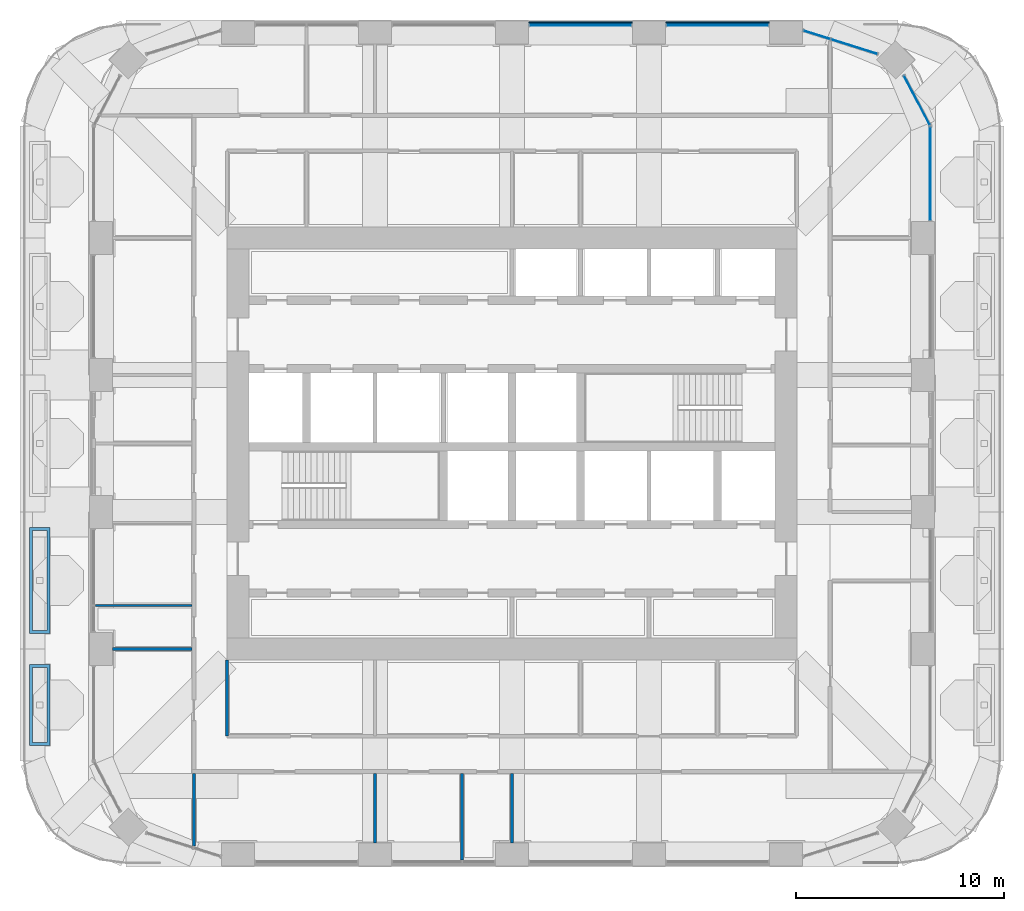
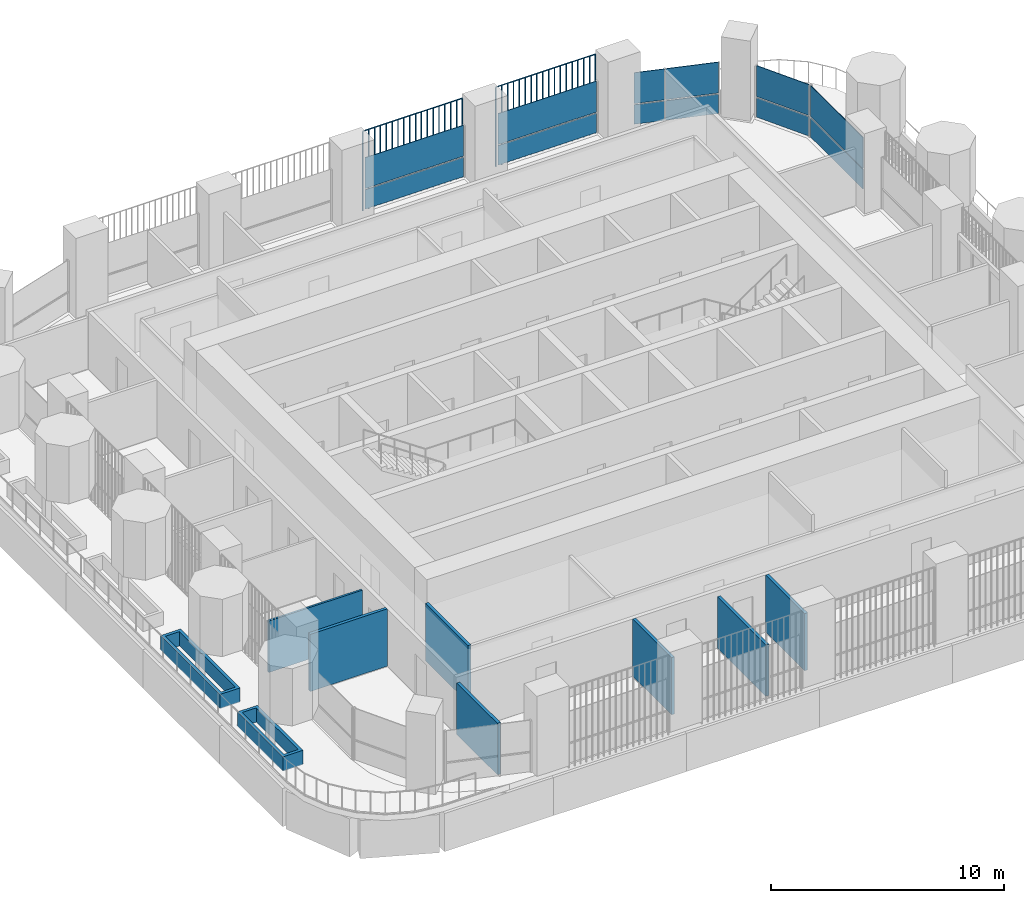
# One storey, part 13 of 24: 14 plates, 9 walls, 5 elements without a shape of their own.
"""IFC4 building model written with IfcOpenShell, lengths in metres."""

from ifc_helpers import new_model, si_unit, direction, frame, frame_2d, origin, origin_2d, place, context, subcontext, project, spatial, polyline, rectangle, outline, extrude, material, layer, layer_set, type_object, element, aggregate, save


model = new_model("IFC4")

# Units and contexts
model_context = context("Model", 3, precision=1e-05, world=origin(), true_north=direction((0.0, 1.0)))
body_context = subcontext(model_context, "Body", "Model", "MODEL_VIEW")
ifc_project = project(units=[si_unit("LENGTHUNIT", "METRE"), si_unit("AREAUNIT", "SQUARE_METRE"), si_unit("VOLUMEUNIT", "CUBIC_METRE"), si_unit("PLANEANGLEUNIT", "RADIAN"), si_unit("MASSUNIT", "GRAM", prefix="KILO")], contexts=[model_context])

# Site, building, storey
site_placement = place(None, origin())
site = spatial("IfcSite", under=ifc_project, at=site_placement, CompositionType="ELEMENT")
building_placement = place(site_placement, origin())
building = spatial("IfcBuilding", under=site, at=building_placement, Name="Cobogo Forest Laboratory Tower", CompositionType="ELEMENT")
storey_placement = place(building_placement, frame((0.0, 0.0, 229.199951171875)))
storey = spatial("IfcBuildingStorey", under=building, at=storey_placement, Name="L52", CompositionType="ELEMENT", Elevation=229.199951171875)

# Curtain wall, plates
ifc_material_1 = material(Name="Aluminium curtain wall", Category="aluminium")
curtain_wall_type = type_object("IfcCurtainWallType", Name="CW-2 unitised curtain wall, solar control glazing, laboratory floors zones C and D", PredefinedType="USERDEFINED", material=ifc_material_1)
curtain_wall_1_placement = place(storey_placement, origin())
curtain_wall_1 = element("IfcCurtainWall", 1, at=curtain_wall_1_placement, inside=storey, type_object=curtain_wall_type, Name="Curtain wall 11 L52", ObjectType="UNITISED CURTAIN WALL", PredefinedType="USERDEFINED")
ifc_material_2 = material(Name="Solar control insulated glass", Category="glass")
ifc_layer_1 = layer(ifc_material_2, 0.031982421875)
ifc_layer_set_1 = layer_set([ifc_layer_1], Name="GP-2 solar control glass unit 32")
plate_type_1 = type_object("IfcPlateType", Name="GP-2 solar control glass unit 32", PredefinedType="CURTAIN_PANEL", material=ifc_layer_set_1)
plate_1_placement = place(storey_placement, frame((46.550048828125, 36.10009765625, 0.0), z_axis=(0.0, 0.0, 1.0), x_axis=(0.0, 1.0, 0.0)))
plate_1 = element("IfcPlate", 2, at=plate_1_placement, type_object=plate_type_1, Name="CW-2 panel 1.1", PredefinedType="CURTAIN_PANEL", context=body_context, shape_type="SweptSolid", body=[
    extrude(rectangle(XDim=4.47998046875, YDim=0.031982421875, at=origin_2d()), origin(), (0.0, 0.0, 1.0), 1.02001953125),
])
plate_2_placement = place(storey_placement, frame((46.550048828125, 36.10009765625, 1.080078125), z_axis=(0.0, 0.0, 1.0), x_axis=(0.0, 1.0, 0.0)))
plate_2 = element("IfcPlate", 3, at=plate_2_placement, type_object=plate_type_1, Name="CW-2 panel 1.2", PredefinedType="CURTAIN_PANEL", context=body_context, shape_type="SweptSolid", body=[
    extrude(rectangle(XDim=4.47998046875, YDim=0.031982421875, at=origin_2d()), origin(), (0.0, 0.0, 1.0), 1.6201171875),
])
aggregate(curtain_wall_1, [plate_1, plate_2])

curtain_wall_2_placement = place(storey_placement, origin())
curtain_wall_2 = element("IfcCurtainWall", 4, at=curtain_wall_2_placement, inside=storey, type_object=curtain_wall_type, Name="Curtain wall 12 L52", ObjectType="UNITISED CURTAIN WALL", PredefinedType="USERDEFINED")
plate_3_placement = place(storey_placement, frame((45.90576171875, 39.629150390625, 0.0), z_axis=(0.0, 0.0, 1.0), x_axis=(-0.464283685186, 0.885686547075, 0.0)))
plate_3 = element("IfcPlate", 5, at=plate_3_placement, type_object=plate_type_1, Name="CW-2 panel 1.1", PredefinedType="CURTAIN_PANEL", context=body_context, shape_type="SweptSolid", body=[
    extrude(rectangle(XDim=2.655517578125, YDim=0.031982421875, at=origin_2d()), origin(), (0.0, 0.0, 1.0), 1.02001953125),
])
plate_4_placement = place(storey_placement, frame((45.90576171875, 39.629150390625, 1.080078125), z_axis=(0.0, 0.0, 1.0), x_axis=(-0.464283685186, 0.885686547075, 0.0)))
plate_4 = element("IfcPlate", 6, at=plate_4_placement, type_object=plate_type_1, Name="CW-2 panel 1.2", PredefinedType="CURTAIN_PANEL", context=body_context, shape_type="SweptSolid", body=[
    extrude(rectangle(XDim=2.655517578125, YDim=0.031982421875, at=origin_2d()), origin(), (0.0, 0.0, 1.0), 1.6201171875),
])
aggregate(curtain_wall_2, [plate_3, plate_4])

curtain_wall_3_placement = place(storey_placement, origin())
curtain_wall_3 = element("IfcCurtainWall", 7, at=curtain_wall_3_placement, inside=storey, type_object=curtain_wall_type, Name="Curtain wall 13 L52", ObjectType="UNITISED CURTAIN WALL", PredefinedType="USERDEFINED")
plate_5_placement = place(storey_placement, frame((42.882080078125, 42.213623046875, 0.0), z_axis=(0.0, 0.0, 1.0), x_axis=(-0.953581351952, 0.301135526315, 0.0)))
plate_5 = element("IfcPlate", 8, at=plate_5_placement, type_object=plate_type_1, Name="CW-2 panel 1.1", PredefinedType="CURTAIN_PANEL", context=body_context, shape_type="SweptSolid", body=[
    extrude(rectangle(XDim=2.316162109375, YDim=0.031982421875, at=origin_2d()), origin(), (0.0, 0.0, 1.0), 1.02001953125),
])
plate_6_placement = place(storey_placement, frame((42.882080078125, 42.213623046875, 1.080078125), z_axis=(0.0, 0.0, 1.0), x_axis=(-0.953581351952, 0.301135526315, 0.0)))
plate_6 = element("IfcPlate", 9, at=plate_6_placement, type_object=plate_type_1, Name="CW-2 panel 1.2", PredefinedType="CURTAIN_PANEL", context=body_context, shape_type="SweptSolid", body=[
    extrude(rectangle(XDim=2.316162109375, YDim=0.031982421875, at=origin_2d()), origin(), (0.0, 0.0, 1.0), 1.6201171875),
])
plate_7_placement = place(storey_placement, frame((41.0888671875, 42.77978515625, 0.0), z_axis=(0.0, 0.0, 1.0), x_axis=(-0.953581351952, 0.301135526315, 0.0)))
plate_7 = element("IfcPlate", 10, at=plate_7_placement, type_object=plate_type_1, Name="CW-2 panel 2.1", PredefinedType="CURTAIN_PANEL", context=body_context, shape_type="SweptSolid", body=[
    extrude(rectangle(XDim=1.32470703125, YDim=0.031982421875, at=origin_2d()), origin(), (0.0, 0.0, 1.0), 1.02001953125),
])
plate_8_placement = place(storey_placement, frame((41.0888671875, 42.77978515625, 1.080078125), z_axis=(0.0, 0.0, 1.0), x_axis=(-0.953581351952, 0.301135526315, 0.0)))
plate_8 = element("IfcPlate", 11, at=plate_8_placement, type_object=plate_type_1, Name="CW-2 panel 2.2", PredefinedType="CURTAIN_PANEL", context=body_context, shape_type="SweptSolid", body=[
    extrude(rectangle(XDim=1.32470703125, YDim=0.031982421875, at=origin_2d()), origin(), (0.0, 0.0, 1.0), 1.6201171875),
])
aggregate(curtain_wall_3, [plate_5, plate_6, plate_7, plate_8])

curtain_wall_4_placement = place(storey_placement, origin())
curtain_wall_4 = element("IfcCurtainWall", 12, at=curtain_wall_4_placement, inside=storey, type_object=curtain_wall_type, Name="Curtain wall 14 L52", ObjectType="UNITISED CURTAIN WALL", PredefinedType="USERDEFINED")
plate_9_placement = place(storey_placement, frame((36.300048828125, 43.25, 0.0), z_axis=(0.0, 0.0, 1.0), x_axis=(-1.0, 0.0, 0.0)))
plate_9 = element("IfcPlate", 13, at=plate_9_placement, type_object=plate_type_1, Name="CW-2 panel 1.1", PredefinedType="CURTAIN_PANEL", context=body_context, shape_type="SweptSolid", body=[
    extrude(rectangle(XDim=4.8798828125, YDim=0.031982421875, at=origin_2d()), origin(), (0.0, 0.0, 1.0), 1.02001953125),
])
plate_10_placement = place(storey_placement, frame((36.300048828125, 43.25, 1.080078125), z_axis=(0.0, 0.0, 1.0), x_axis=(-1.0, 0.0, 0.0)))
plate_10 = element("IfcPlate", 14, at=plate_10_placement, type_object=plate_type_1, Name="CW-2 panel 1.2", PredefinedType="CURTAIN_PANEL", context=body_context, shape_type="SweptSolid", body=[
    extrude(rectangle(XDim=4.8798828125, YDim=0.031982421875, at=origin_2d()), origin(), (0.0, 0.0, 1.0), 1.6201171875),
])
aggregate(curtain_wall_4, [plate_9, plate_10])

curtain_wall_5_placement = place(storey_placement, origin())
curtain_wall_5 = element("IfcCurtainWall", 15, at=curtain_wall_5_placement, inside=storey, type_object=curtain_wall_type, Name="Curtain wall 15 L52", ObjectType="UNITISED CURTAIN WALL", PredefinedType="USERDEFINED")
plate_11_placement = place(storey_placement, frame((29.699951171875, 43.25, 0.0), z_axis=(0.0, 0.0, 1.0), x_axis=(-1.0, 0.0, 0.0)))
plate_11 = element("IfcPlate", 16, at=plate_11_placement, type_object=plate_type_1, Name="CW-2 panel 1.1", PredefinedType="CURTAIN_PANEL", context=body_context, shape_type="SweptSolid", body=[
    extrude(rectangle(XDim=4.8798828125, YDim=0.031982421875, at=origin_2d()), origin(), (0.0, 0.0, 1.0), 1.02001953125),
])
plate_12_placement = place(storey_placement, frame((29.699951171875, 43.25, 1.080078125), z_axis=(0.0, 0.0, 1.0), x_axis=(-1.0, 0.0, 0.0)))
plate_12 = element("IfcPlate", 17, at=plate_12_placement, type_object=plate_type_1, Name="CW-2 panel 1.2", PredefinedType="CURTAIN_PANEL", context=body_context, shape_type="SweptSolid", body=[
    extrude(rectangle(XDim=4.8798828125, YDim=0.031982421875, at=origin_2d()), origin(), (0.0, 0.0, 1.0), 1.6201171875),
])
aggregate(curtain_wall_5, [plate_11, plate_12])

# Plates
ifc_material_3 = material(Name="Terracotta", Category="masonry")
plate_type_2 = type_object("IfcPlateType", Name="TB1 terracotta baguette screen", PredefinedType="USERDEFINED", material=ifc_material_3)
plate_13_placement = place(storey_placement, frame((27.231201171875, 43.3779296875, -0.14990234375)))
element("IfcPlate", 18, at=plate_13_placement, inside=storey, type_object=plate_type_2, Name="Baguette screen N3 L52", ObjectType="BAGUETTE SCREEN", PredefinedType="USERDEFINED", context=body_context, shape_type="SweptSolid", body=[
    extrude(outline(polyline([(0.02880859375, 0.011962890625), (0.011962890625, 0.02880859375), (-0.011962890625, 0.02880859375), (-0.02880859375, 0.011962890625), (-0.02880859375, -0.011962890625), (-0.011962890625, -0.02880859375), (0.011962890625, -0.02880859375), (0.02880859375, -0.011962890625), (0.02880859375, 0.011962890625)])), frame((0.0, 0.0, 4.168701171875), z_axis=(1.0, 0.0, 0.0), x_axis=(0.0, 1.0, 0.0)), (0.0, 0.0, 1.0), 4.9375),
    extrude(outline(polyline([(0.02880859375, 0.011962890625), (0.011962890625, 0.02880859375), (-0.011962890625, 0.02880859375), (-0.02880859375, 0.011962890625), (-0.02880859375, -0.011962890625), (-0.011962890625, -0.02880859375), (0.011962890625, -0.02880859375), (0.02880859375, -0.011962890625), (0.02880859375, 0.011962890625)])), origin(), (0.0, 0.0, 1.0), 4.137451171875),
    extrude(outline(polyline([(0.02880859375, 0.011962890625), (0.011962890625, 0.02880859375), (-0.011962890625, 0.02880859375), (-0.02880859375, 0.011962890625), (-0.02880859375, -0.011962890625), (-0.011962890625, -0.02880859375), (0.011962890625, -0.02880859375), (0.02880859375, -0.011962890625), (0.02880859375, 0.011962890625)])), frame((0.29052734375, 0.0, 0.0)), (0.0, 0.0, 1.0), 4.137451171875),
    extrude(outline(polyline([(0.02880859375, 0.011962890625), (0.011962890625, 0.02880859375), (-0.011962890625, 0.02880859375), (-0.02880859375, 0.011962890625), (-0.02880859375, -0.011962890625), (-0.011962890625, -0.02880859375), (0.011962890625, -0.02880859375), (0.02880859375, -0.011962890625), (0.02880859375, 0.011962890625)])), frame((0.580810546875, 0.0, 0.0)), (0.0, 0.0, 1.0), 4.137451171875),
    extrude(outline(polyline([(0.02880859375, 0.011962890625), (0.011962890625, 0.02880859375), (-0.011962890625, 0.02880859375), (-0.02880859375, 0.011962890625), (-0.02880859375, -0.011962890625), (-0.011962890625, -0.02880859375), (0.011962890625, -0.02880859375), (0.02880859375, -0.011962890625), (0.02880859375, 0.011962890625)])), frame((0.871337890625, 0.0, 0.0)), (0.0, 0.0, 1.0), 4.137451171875),
    extrude(outline(polyline([(0.02880859375, 0.011962890625), (0.011962890625, 0.02880859375), (-0.011962890625, 0.02880859375), (-0.02880859375, 0.011962890625), (-0.02880859375, -0.011962890625), (-0.011962890625, -0.02880859375), (0.011962890625, -0.02880859375), (0.02880859375, -0.011962890625), (0.02880859375, 0.011962890625)])), frame((1.161865234375, 0.0, 0.0)), (0.0, 0.0, 1.0), 4.137451171875),
    extrude(outline(polyline([(0.02880859375, 0.011962890625), (0.011962890625, 0.02880859375), (-0.011962890625, 0.02880859375), (-0.02880859375, 0.011962890625), (-0.02880859375, -0.011962890625), (-0.011962890625, -0.02880859375), (0.011962890625, -0.02880859375), (0.02880859375, -0.011962890625), (0.02880859375, 0.011962890625)])), frame((1.4521484375, 0.0, 0.0)), (0.0, 0.0, 1.0), 4.137451171875),
    extrude(outline(polyline([(0.02880859375, 0.011962890625), (0.011962890625, 0.02880859375), (-0.011962890625, 0.02880859375), (-0.02880859375, 0.011962890625), (-0.02880859375, -0.011962890625), (-0.011962890625, -0.02880859375), (0.011962890625, -0.02880859375), (0.02880859375, -0.011962890625), (0.02880859375, 0.011962890625)])), frame((1.74267578125, 0.0, 0.0)), (0.0, 0.0, 1.0), 4.137451171875),
    extrude(outline(polyline([(0.02880859375, 0.011962890625), (0.011962890625, 0.02880859375), (-0.011962890625, 0.02880859375), (-0.02880859375, 0.011962890625), (-0.02880859375, -0.011962890625), (-0.011962890625, -0.02880859375), (0.011962890625, -0.02880859375), (0.02880859375, -0.011962890625), (0.02880859375, 0.011962890625)])), frame((2.033203125, 0.0, 0.0)), (0.0, 0.0, 1.0), 4.137451171875),
    extrude(outline(polyline([(0.02880859375, 0.011962890625), (0.011962890625, 0.02880859375), (-0.011962890625, 0.02880859375), (-0.02880859375, 0.011962890625), (-0.02880859375, -0.011962890625), (-0.011962890625, -0.02880859375), (0.011962890625, -0.02880859375), (0.02880859375, -0.011962890625), (0.02880859375, 0.011962890625)])), frame((2.323486328125, 0.0, 0.0)), (0.0, 0.0, 1.0), 4.137451171875),
    extrude(outline(polyline([(0.02880859375, 0.011962890625), (0.011962890625, 0.02880859375), (-0.011962890625, 0.02880859375), (-0.02880859375, 0.011962890625), (-0.02880859375, -0.011962890625), (-0.011962890625, -0.02880859375), (0.011962890625, -0.02880859375), (0.02880859375, -0.011962890625), (0.02880859375, 0.011962890625)])), frame((2.614013671875, 0.0, 0.0)), (0.0, 0.0, 1.0), 4.137451171875),
    extrude(outline(polyline([(0.02880859375, 0.011962890625), (0.011962890625, 0.02880859375), (-0.011962890625, 0.02880859375), (-0.02880859375, 0.011962890625), (-0.02880859375, -0.011962890625), (-0.011962890625, -0.02880859375), (0.011962890625, -0.02880859375), (0.02880859375, -0.011962890625), (0.02880859375, 0.011962890625)])), frame((2.904296875, 0.0, 0.0)), (0.0, 0.0, 1.0), 4.137451171875),
    extrude(outline(polyline([(0.02880859375, 0.011962890625), (0.011962890625, 0.02880859375), (-0.011962890625, 0.02880859375), (-0.02880859375, 0.011962890625), (-0.02880859375, -0.011962890625), (-0.011962890625, -0.02880859375), (0.011962890625, -0.02880859375), (0.02880859375, -0.011962890625), (0.02880859375, 0.011962890625)])), frame((3.19482421875, 0.0, 0.0)), (0.0, 0.0, 1.0), 4.137451171875),
    extrude(outline(polyline([(0.02880859375, 0.011962890625), (0.011962890625, 0.02880859375), (-0.011962890625, 0.02880859375), (-0.02880859375, 0.011962890625), (-0.02880859375, -0.011962890625), (-0.011962890625, -0.02880859375), (0.011962890625, -0.02880859375), (0.02880859375, -0.011962890625), (0.02880859375, 0.011962890625)])), frame((3.4853515625, 0.0, 0.0)), (0.0, 0.0, 1.0), 4.137451171875),
    extrude(outline(polyline([(0.02880859375, 0.011962890625), (0.011962890625, 0.02880859375), (-0.011962890625, 0.02880859375), (-0.02880859375, 0.011962890625), (-0.02880859375, -0.011962890625), (-0.011962890625, -0.02880859375), (0.011962890625, -0.02880859375), (0.02880859375, -0.011962890625), (0.02880859375, 0.011962890625)])), frame((3.775634765625, 0.0, 0.0)), (0.0, 0.0, 1.0), 4.137451171875),
    extrude(outline(polyline([(0.02880859375, 0.011962890625), (0.011962890625, 0.02880859375), (-0.011962890625, 0.02880859375), (-0.02880859375, 0.011962890625), (-0.02880859375, -0.011962890625), (-0.011962890625, -0.02880859375), (0.011962890625, -0.02880859375), (0.02880859375, -0.011962890625), (0.02880859375, 0.011962890625)])), frame((4.066162109375, 0.0, 0.0)), (0.0, 0.0, 1.0), 4.137451171875),
    extrude(outline(polyline([(0.02880859375, 0.011962890625), (0.011962890625, 0.02880859375), (-0.011962890625, 0.02880859375), (-0.02880859375, 0.011962890625), (-0.02880859375, -0.011962890625), (-0.011962890625, -0.02880859375), (0.011962890625, -0.02880859375), (0.02880859375, -0.011962890625), (0.02880859375, 0.011962890625)])), frame((4.356689453125, 0.0, 0.0)), (0.0, 0.0, 1.0), 4.137451171875),
    extrude(outline(polyline([(0.02880859375, 0.011962890625), (0.011962890625, 0.02880859375), (-0.011962890625, 0.02880859375), (-0.02880859375, 0.011962890625), (-0.02880859375, -0.011962890625), (-0.011962890625, -0.02880859375), (0.011962890625, -0.02880859375), (0.02880859375, -0.011962890625), (0.02880859375, 0.011962890625)])), frame((4.64697265625, 0.0, 0.0)), (0.0, 0.0, 1.0), 4.137451171875),
    extrude(outline(polyline([(0.02880859375, 0.011962890625), (0.011962890625, 0.02880859375), (-0.011962890625, 0.02880859375), (-0.02880859375, 0.011962890625), (-0.02880859375, -0.011962890625), (-0.011962890625, -0.02880859375), (0.011962890625, -0.02880859375), (0.02880859375, -0.011962890625), (0.02880859375, 0.011962890625)])), frame((4.9375, 0.0, 0.0)), (0.0, 0.0, 1.0), 4.137451171875),
])
plate_14_placement = place(storey_placement, frame((33.831298828125, 43.3779296875, -0.14990234375)))
element("IfcPlate", 19, at=plate_14_placement, inside=storey, type_object=plate_type_2, Name="Baguette screen N4 L52", ObjectType="BAGUETTE SCREEN", PredefinedType="USERDEFINED", context=body_context, shape_type="SweptSolid", body=[
    extrude(outline(polyline([(0.02880859375, 0.011962890625), (0.011962890625, 0.02880859375), (-0.011962890625, 0.02880859375), (-0.02880859375, 0.011962890625), (-0.02880859375, -0.011962890625), (-0.011962890625, -0.02880859375), (0.011962890625, -0.02880859375), (0.02880859375, -0.011962890625), (0.02880859375, 0.011962890625)])), frame((0.0, 0.0, 4.168701171875), z_axis=(1.0, 0.0, 0.0), x_axis=(0.0, 1.0, 0.0)), (0.0, 0.0, 1.0), 4.9375),
    extrude(outline(polyline([(0.02880859375, 0.011962890625), (0.011962890625, 0.02880859375), (-0.011962890625, 0.02880859375), (-0.02880859375, 0.011962890625), (-0.02880859375, -0.011962890625), (-0.011962890625, -0.02880859375), (0.011962890625, -0.02880859375), (0.02880859375, -0.011962890625), (0.02880859375, 0.011962890625)])), origin(), (0.0, 0.0, 1.0), 4.137451171875),
    extrude(outline(polyline([(0.02880859375, 0.011962890625), (0.011962890625, 0.02880859375), (-0.011962890625, 0.02880859375), (-0.02880859375, 0.011962890625), (-0.02880859375, -0.011962890625), (-0.011962890625, -0.02880859375), (0.011962890625, -0.02880859375), (0.02880859375, -0.011962890625), (0.02880859375, 0.011962890625)])), frame((0.29052734375, 0.0, 0.0)), (0.0, 0.0, 1.0), 4.137451171875),
    extrude(outline(polyline([(0.02880859375, 0.011962890625), (0.011962890625, 0.02880859375), (-0.011962890625, 0.02880859375), (-0.02880859375, 0.011962890625), (-0.02880859375, -0.011962890625), (-0.011962890625, -0.02880859375), (0.011962890625, -0.02880859375), (0.02880859375, -0.011962890625), (0.02880859375, 0.011962890625)])), frame((0.580810546875, 0.0, 0.0)), (0.0, 0.0, 1.0), 4.137451171875),
    extrude(outline(polyline([(0.02880859375, 0.011962890625), (0.011962890625, 0.02880859375), (-0.011962890625, 0.02880859375), (-0.02880859375, 0.011962890625), (-0.02880859375, -0.011962890625), (-0.011962890625, -0.02880859375), (0.011962890625, -0.02880859375), (0.02880859375, -0.011962890625), (0.02880859375, 0.011962890625)])), frame((0.871337890625, 0.0, 0.0)), (0.0, 0.0, 1.0), 4.137451171875),
    extrude(outline(polyline([(0.02880859375, 0.011962890625), (0.011962890625, 0.02880859375), (-0.011962890625, 0.02880859375), (-0.02880859375, 0.011962890625), (-0.02880859375, -0.011962890625), (-0.011962890625, -0.02880859375), (0.011962890625, -0.02880859375), (0.02880859375, -0.011962890625), (0.02880859375, 0.011962890625)])), frame((1.161865234375, 0.0, 0.0)), (0.0, 0.0, 1.0), 4.137451171875),
    extrude(outline(polyline([(0.02880859375, 0.011962890625), (0.011962890625, 0.02880859375), (-0.011962890625, 0.02880859375), (-0.02880859375, 0.011962890625), (-0.02880859375, -0.011962890625), (-0.011962890625, -0.02880859375), (0.011962890625, -0.02880859375), (0.02880859375, -0.011962890625), (0.02880859375, 0.011962890625)])), frame((1.4521484375, 0.0, 0.0)), (0.0, 0.0, 1.0), 4.137451171875),
    extrude(outline(polyline([(0.02880859375, 0.011962890625), (0.011962890625, 0.02880859375), (-0.011962890625, 0.02880859375), (-0.02880859375, 0.011962890625), (-0.02880859375, -0.011962890625), (-0.011962890625, -0.02880859375), (0.011962890625, -0.02880859375), (0.02880859375, -0.011962890625), (0.02880859375, 0.011962890625)])), frame((1.74267578125, 0.0, 0.0)), (0.0, 0.0, 1.0), 4.137451171875),
    extrude(outline(polyline([(0.02880859375, 0.011962890625), (0.011962890625, 0.02880859375), (-0.011962890625, 0.02880859375), (-0.02880859375, 0.011962890625), (-0.02880859375, -0.011962890625), (-0.011962890625, -0.02880859375), (0.011962890625, -0.02880859375), (0.02880859375, -0.011962890625), (0.02880859375, 0.011962890625)])), frame((2.033203125, 0.0, 0.0)), (0.0, 0.0, 1.0), 4.137451171875),
    extrude(outline(polyline([(0.02880859375, 0.011962890625), (0.011962890625, 0.02880859375), (-0.011962890625, 0.02880859375), (-0.02880859375, 0.011962890625), (-0.02880859375, -0.011962890625), (-0.011962890625, -0.02880859375), (0.011962890625, -0.02880859375), (0.02880859375, -0.011962890625), (0.02880859375, 0.011962890625)])), frame((2.323486328125, 0.0, 0.0)), (0.0, 0.0, 1.0), 4.137451171875),
    extrude(outline(polyline([(0.02880859375, 0.011962890625), (0.011962890625, 0.02880859375), (-0.011962890625, 0.02880859375), (-0.02880859375, 0.011962890625), (-0.02880859375, -0.011962890625), (-0.011962890625, -0.02880859375), (0.011962890625, -0.02880859375), (0.02880859375, -0.011962890625), (0.02880859375, 0.011962890625)])), frame((2.614013671875, 0.0, 0.0)), (0.0, 0.0, 1.0), 4.137451171875),
    extrude(outline(polyline([(0.02880859375, 0.011962890625), (0.011962890625, 0.02880859375), (-0.011962890625, 0.02880859375), (-0.02880859375, 0.011962890625), (-0.02880859375, -0.011962890625), (-0.011962890625, -0.02880859375), (0.011962890625, -0.02880859375), (0.02880859375, -0.011962890625), (0.02880859375, 0.011962890625)])), frame((2.904296875, 0.0, 0.0)), (0.0, 0.0, 1.0), 4.137451171875),
    extrude(outline(polyline([(0.02880859375, 0.011962890625), (0.011962890625, 0.02880859375), (-0.011962890625, 0.02880859375), (-0.02880859375, 0.011962890625), (-0.02880859375, -0.011962890625), (-0.011962890625, -0.02880859375), (0.011962890625, -0.02880859375), (0.02880859375, -0.011962890625), (0.02880859375, 0.011962890625)])), frame((3.19482421875, 0.0, 0.0)), (0.0, 0.0, 1.0), 4.137451171875),
    extrude(outline(polyline([(0.02880859375, 0.011962890625), (0.011962890625, 0.02880859375), (-0.011962890625, 0.02880859375), (-0.02880859375, 0.011962890625), (-0.02880859375, -0.011962890625), (-0.011962890625, -0.02880859375), (0.011962890625, -0.02880859375), (0.02880859375, -0.011962890625), (0.02880859375, 0.011962890625)])), frame((3.4853515625, 0.0, 0.0)), (0.0, 0.0, 1.0), 4.137451171875),
    extrude(outline(polyline([(0.02880859375, 0.011962890625), (0.011962890625, 0.02880859375), (-0.011962890625, 0.02880859375), (-0.02880859375, 0.011962890625), (-0.02880859375, -0.011962890625), (-0.011962890625, -0.02880859375), (0.011962890625, -0.02880859375), (0.02880859375, -0.011962890625), (0.02880859375, 0.011962890625)])), frame((3.775634765625, 0.0, 0.0)), (0.0, 0.0, 1.0), 4.137451171875),
    extrude(outline(polyline([(0.02880859375, 0.011962890625), (0.011962890625, 0.02880859375), (-0.011962890625, 0.02880859375), (-0.02880859375, 0.011962890625), (-0.02880859375, -0.011962890625), (-0.011962890625, -0.02880859375), (0.011962890625, -0.02880859375), (0.02880859375, -0.011962890625), (0.02880859375, 0.011962890625)])), frame((4.066162109375, 0.0, 0.0)), (0.0, 0.0, 1.0), 4.137451171875),
    extrude(outline(polyline([(0.02880859375, 0.011962890625), (0.011962890625, 0.02880859375), (-0.011962890625, 0.02880859375), (-0.02880859375, 0.011962890625), (-0.02880859375, -0.011962890625), (-0.011962890625, -0.02880859375), (0.011962890625, -0.02880859375), (0.02880859375, -0.011962890625), (0.02880859375, 0.011962890625)])), frame((4.356689453125, 0.0, 0.0)), (0.0, 0.0, 1.0), 4.137451171875),
    extrude(outline(polyline([(0.02880859375, 0.011962890625), (0.011962890625, 0.02880859375), (-0.011962890625, 0.02880859375), (-0.02880859375, 0.011962890625), (-0.02880859375, -0.011962890625), (-0.011962890625, -0.02880859375), (0.011962890625, -0.02880859375), (0.02880859375, -0.011962890625), (0.02880859375, 0.011962890625)])), frame((4.64697265625, 0.0, 0.0)), (0.0, 0.0, 1.0), 4.137451171875),
    extrude(outline(polyline([(0.02880859375, 0.011962890625), (0.011962890625, 0.02880859375), (-0.011962890625, 0.02880859375), (-0.02880859375, 0.011962890625), (-0.02880859375, -0.011962890625), (-0.011962890625, -0.02880859375), (0.011962890625, -0.02880859375), (0.02880859375, -0.011962890625), (0.02880859375, 0.011962890625)])), frame((4.9375, 0.0, 0.0)), (0.0, 0.0, 1.0), 4.137451171875),
])

# Walls
ifc_material_4 = material(Name="Gypsum board on steel studs", Category="steel")
ifc_layer_2 = layer(ifc_material_4, 0.14990234375)
ifc_layer_set_2 = layer_set([ifc_layer_2], Name="PT1 laboratory partition 150")
wall_type_1 = type_object("IfcWallType", Name="PT1 laboratory partition 150", PredefinedType="PARTITIONING", material=ifc_layer_set_2)
wall_1_placement = place(storey_placement, frame((12.675048828125, 12.675048828125, 0.0), z_axis=(0.0, 0.0, 1.0), x_axis=(0.0, -1.0, 0.0)))
element("IfcWall", 20, at=wall_1_placement, inside=storey, type_object=wall_type_1, Name="Partition CSTRIP-SW L52", PredefinedType="PARTITIONING", context=body_context, shape_type="SweptSolid", body=[
    extrude(rectangle(XDim=3.675048828125, YDim=0.14990234375, at=frame_2d((1.83740234375, 0.0))), origin(), (0.0, 0.0, 1.0), 3.0),
])
wall_2_placement = place(storey_placement, frame((11.074951171875, 3.705078125, 0.0), z_axis=(0.0, 0.0, 1.0), x_axis=(0.0, 1.0, 0.0)))
element("IfcWall", 21, at=wall_2_placement, inside=storey, type_object=wall_type_1, Name="Partition PW-SW L52", PredefinedType="PARTITIONING", context=body_context, shape_type="SweptSolid", body=[
    extrude(rectangle(XDim=3.494873046875, YDim=0.14990234375, at=frame_2d((1.74755859375, 0.0))), origin(), (0.0, 0.0, 1.0), 2.699951171875),
])
wall_3_placement = place(storey_placement, frame((24.0, 3.030029296875, 0.0), z_axis=(0.0, 0.0, 1.0), x_axis=(0.0, 1.0, 0.0)))
element("IfcWall", 22, at=wall_3_placement, inside=storey, type_object=wall_type_1, Name="Partition SVC-S1-1 L52", PredefinedType="PARTITIONING", context=body_context, shape_type="SweptSolid", body=[
    extrude(rectangle(XDim=4.169921875, YDim=0.14990234375, at=frame_2d((2.0849609375, 0.0))), origin(), (0.0, 0.0, 1.0), 2.699951171875),
])
for number, where, z_axis, x_axis, name in (
    (23, (26.39990234375, 3.85009765625, 0.0), (0.0, 0.0, 1.0), (0.0, 1.0, 0.0), "Partition SVC-S2-1 L52"),
    (24, (19.800048828125, 3.85009765625, 0.0), (0.0, 0.0, 1.0), (0.0, 1.0, 0.0), "Partition CUT-S19.8-1 L52"),
):
    element("IfcWall", number, at=place(storey_placement, frame(where, z_axis=z_axis, x_axis=x_axis)), inside=storey, type_object=wall_type_1, Name=name, PredefinedType="PARTITIONING", context=body_context, shape_type="SweptSolid", body=[
        extrude(rectangle(XDim=3.349853515625, YDim=0.14990234375, at=frame_2d((1.6748046875, 0.0))), origin(), (0.0, 0.0, 1.0), 3.0),
    ])
wall_4_placement = place(storey_placement, frame((7.14990234375, 13.199951171875, 0.0), z_axis=(0.0, 0.0, 1.0), x_axis=(1.0, 0.0, 0.0)))
element("IfcWall", 25, at=wall_4_placement, inside=storey, type_object=wall_type_1, Name="Partition CUT-W13.2-1 L52", PredefinedType="PARTITIONING", context=body_context, shape_type="SweptSolid", body=[
    extrude(rectangle(XDim=3.8251953125, YDim=0.14990234375, at=frame_2d((1.91259765625, 0.0))), origin(), (0.0, 0.0, 1.0), 3.0),
])
ifc_layer_3 = layer(ifc_material_4, 0.10009765625)
ifc_layer_set_3 = layer_set([ifc_layer_3], Name="PT3 toilet partition 100")
wall_type_2 = type_object("IfcWallType", Name="PT3 toilet partition 100", PredefinedType="PARTITIONING", material=ifc_layer_set_3)
wall_5_placement = place(storey_placement, frame((6.330078125, 15.300048828125, 0.0), z_axis=(0.0, 0.0, 1.0), x_axis=(1.0, 0.0, 0.0)))
element("IfcWall", 26, at=wall_5_placement, inside=storey, type_object=wall_type_2, Name="Partition SVC-W1-1 L52", PredefinedType="PARTITIONING", context=body_context, shape_type="SweptSolid", body=[
    extrude(rectangle(XDim=4.64501953125, YDim=0.10009765625, at=frame_2d((2.322509765625, 0.0))), origin(), (0.0, 0.0, 1.0), 2.699951171875),
])
ifc_material_5 = material(Name="Concrete HA-40 (C40/50)", Category="concrete")
ifc_layer_4 = layer(ifc_material_5, 0.14990234375)
ifc_layer_set_4 = layer_set([ifc_layer_4], Name="Planter box 1000x750")
wall_type_3 = type_object("IfcWallType", Name="Planter box 1000x750", PredefinedType="USERDEFINED", material=ifc_layer_set_4)
wall_6_placement = place(storey_placement, origin())
element("IfcWall", 27, at=wall_6_placement, inside=storey, type_object=wall_type_3, Name="Terrace planter TER-W-1 L52", ObjectType="PLANTER", PredefinedType="USERDEFINED", context=body_context, shape_type="SweptSolid", body=[
    extrude(outline(polyline([(3.14990234375, 8.550048828125), (4.14990234375, 8.550048828125), (4.14990234375, 12.449951171875), (3.14990234375, 12.449951171875), (3.14990234375, 8.550048828125)]), holes=[polyline([(3.300048828125, 8.699951171875), (4.0, 8.699951171875), (4.0, 12.300048828125), (3.300048828125, 12.300048828125), (3.300048828125, 8.699951171875)])]), origin(), (0.0, 0.0, 1.0), 0.75),
])
wall_7_placement = place(storey_placement, origin())
element("IfcWall", 28, at=wall_7_placement, inside=storey, type_object=wall_type_3, Name="Terrace planter TER-W-2 L52", ObjectType="PLANTER", PredefinedType="USERDEFINED", context=body_context, shape_type="SweptSolid", body=[
    extrude(outline(polyline([(3.14990234375, 13.949951171875), (4.14990234375, 13.949951171875), (4.14990234375, 19.050048828125), (3.14990234375, 19.050048828125), (3.14990234375, 13.949951171875)]), holes=[polyline([(3.300048828125, 14.10009765625), (4.0, 14.10009765625), (4.0, 18.89990234375), (3.300048828125, 18.89990234375), (3.300048828125, 14.10009765625)])]), origin(), (0.0, 0.0, 1.0), 0.75),
])

save(model, "model.ifc")
